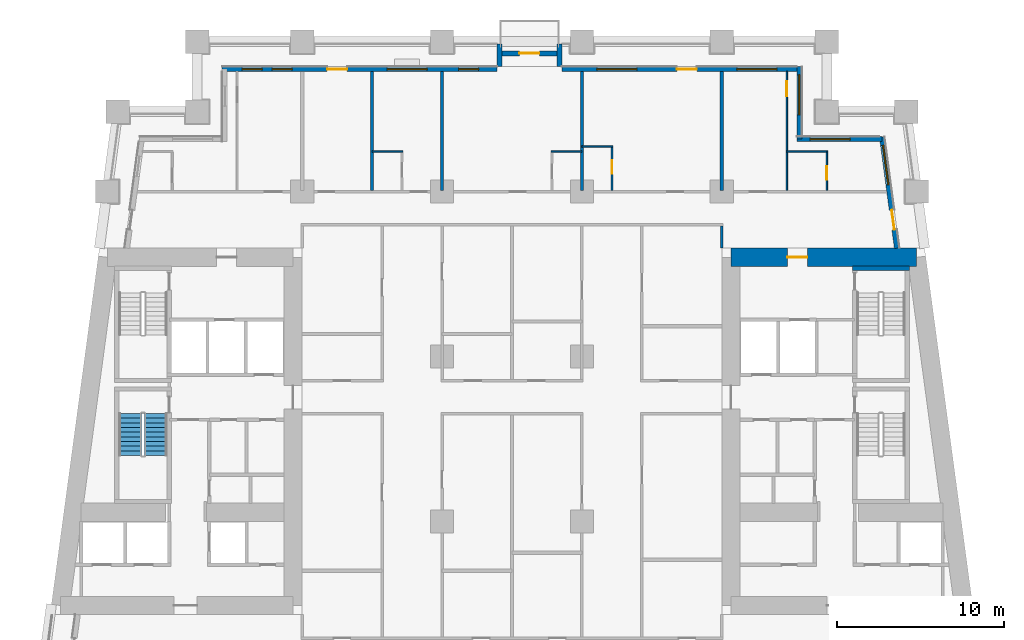
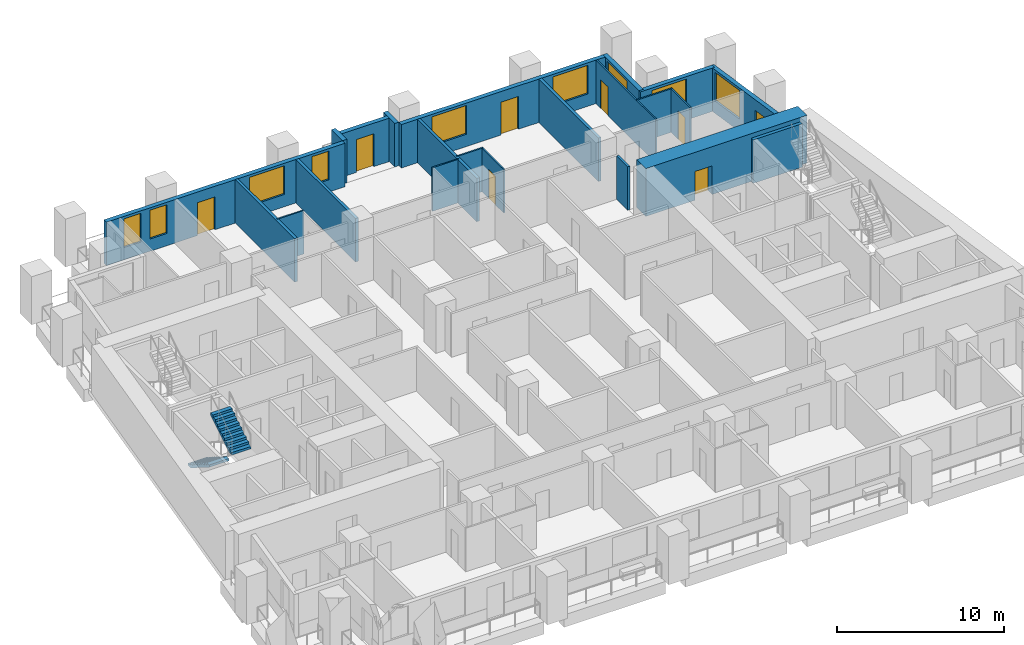
# One storey, part 7 of 13: 22 walls, 9 windows, 8 doors, 2 stair flights, 17 openings, 1 element without a shape of its own.
"""IFC4 building model written with IfcOpenShell, lengths in metres."""

from ifc_helpers import new_model, si_unit, direction, frame, frame_2d, origin, place, context, subcontext, project, spatial, polyline, rectangle, outline, extrude, material, layer, layer_set, type_object, element, fill, aggregate, save


model = new_model("IFC4")

# Units and contexts
model_context = context("Model", 3, precision=1e-05, world=origin(), true_north=direction((0.0, 1.0)))
body_context = subcontext(model_context, "Body", "Model", "MODEL_VIEW")
ifc_project = project(units=[si_unit("LENGTHUNIT", "METRE"), si_unit("AREAUNIT", "SQUARE_METRE"), si_unit("VOLUMEUNIT", "CUBIC_METRE"), si_unit("PLANEANGLEUNIT", "RADIAN"), si_unit("MASSUNIT", "GRAM", prefix="KILO")], contexts=[model_context])

# Site, building, storey
site_placement = place(None, origin())
site = spatial("IfcSite", under=ifc_project, at=site_placement, CompositionType="ELEMENT")
building_placement = place(site_placement, origin())
building = spatial("IfcBuilding", under=site, at=building_placement, Name="Candeia Pilgrim Tower and Theatre", CompositionType="ELEMENT")
storey_placement = place(building_placement, frame((0.0, 0.0, 56.5)))
storey = spatial("IfcBuildingStorey", under=building, at=storey_placement, Name="L11", CompositionType="ELEMENT", Elevation=56.5)

# Wall, opening, door
ifc_material_1 = material(Name="Concrete C80/95", Category="concrete")
ifc_layer_1 = layer(ifc_material_1, 1.10009765625)
ifc_layer_set_1 = layer_set([ifc_layer_1], Name="Core wall 1100 C80/95")
wall_type_1 = type_object("IfcWallType", Name="Core wall 1100 C80/95", PredefinedType="SHEAR", material=ifc_layer_set_1)
wall_1_placement = place(storey_placement, frame((126.550048828125, 131.85009765625, 0.0), z_axis=(0.0, 0.0, 1.0), x_axis=(1.0, 0.0, 0.0)))
wall_1 = element("IfcWall", 1, at=wall_1_placement, inside=storey, type_object=wall_type_1, Name="Core wall E1", PredefinedType="SHEAR", context=body_context, shape_type="SweptSolid", body=[
    extrude(rectangle(XDim=11.13818359375, YDim=1.10009765625, at=frame_2d((5.569091796875, 0.0))), origin(), (0.0, 0.0, 1.0), 3.5),
])
opening_1_placement = place(wall_1_placement, frame((3.386474609375, 0.0, 0.0)))
opening_1 = element("IfcOpeningElement", 2, at=opening_1_placement, cuts=wall_1, Name="Opening L11-D063", PredefinedType="OPENING", context=body_context, shape_type="SweptSolid", body=[
    extrude(rectangle(XDim=1.199951171875, YDim=2.10009765625, at=frame_2d((0.60009765625, 1.050048828125))), frame((0.0, 0.56005859375, 0.0), z_axis=(0.0, -1.0, 0.0), x_axis=(1.0, 0.0, 0.0)), (0.0, 0.0, 1.0), 1.1201171875),
])
ifc_material_2 = material(Name="Steel fire door set", Category="steel")
door_type_1 = type_object("IfcDoorType", Name="D-1200-FD60", OperationType="NOTDEFINED", PredefinedType="DOOR", material=ifc_material_2)
door_1_placement = place(opening_1_placement, origin())
door_1 = element("IfcDoor", 3, at=door_1_placement, inside=storey, type_object=door_type_1, Name="Door L11-D063", OperationType="SINGLE_SWING_RIGHT", OverallHeight=2.10009765625, OverallWidth=1.199951171875, PredefinedType="DOOR", context=body_context, shape_type="SweptSolid", body=[
    extrude(rectangle(XDim=1.199951171875, YDim=2.10009765625, at=frame_2d((0.60009765625, 1.050048828125))), frame((0.0, 0.02490234375, 0.0), z_axis=(0.0, -1.0, 0.0), x_axis=(1.0, 0.0, 0.0)), (0.0, 0.0, 1.0), 0.050048828125),
])
fill(opening_1, door_1)

# Wall, openings, door, window
ifc_material_3 = material(Name="Ceramic block masonry", Category="masonry")
ifc_layer_2 = layer(ifc_material_3, 0.300048828125)
ifc_layer_set_2 = layer_set([ifc_layer_2], Name="EW1 glazing-line wall 300")
wall_type_2 = type_object("IfcWallType", Name="EW1 glazing-line wall 300", PredefinedType="SOLIDWALL", material=ifc_layer_set_2)
wall_2_placement = place(storey_placement, frame((136.50439453125, 132.39990234375, 0.0), z_axis=(0.0, 0.0, 1.0), x_axis=(-0.133399697462, 0.99106231929, 0.0)))
wall_2 = element("IfcWall", 4, at=wall_2_placement, inside=storey, type_object=wall_type_2, Name="External wall L11-3.1", PredefinedType="SOLIDWALL", context=body_context, shape_type="SweptSolid", body=[
    extrude(rectangle(XDim=6.740478515625, YDim=0.300048828125, at=frame_2d((3.3701171875, 0.0))), origin(), (0.0, 0.0, 1.0), 3.179931640625),
])
opening_2_placement = place(wall_2_placement, frame((1.115234375, 0.0, 0.0)))
opening_2 = element("IfcOpeningElement", 5, at=opening_2_placement, cuts=wall_2, Name="Opening L11-ED131", PredefinedType="OPENING", context=body_context, shape_type="SweptSolid", body=[
    extrude(rectangle(XDim=1.199951171875, YDim=2.39990234375, at=frame_2d((0.60009765625, 1.199951171875))), frame((0.0, 0.16015625, 0.0), z_axis=(0.0, -1.0, 0.0), x_axis=(1.0, 0.0, 0.0)), (0.0, 0.0, 1.0), 0.320068359375),
])
opening_3_placement = place(wall_2_placement, frame((3.83544921875, 0.0, 0.89990234375)))
opening_3 = element("IfcOpeningElement", 6, at=opening_3_placement, cuts=wall_2, Name="Opening W-A", PredefinedType="OPENING", context=body_context, shape_type="SweptSolid", body=[
    extrude(rectangle(XDim=2.39990234375, YDim=2.10009765625, at=frame_2d((1.199951171875, 1.050048828125))), frame((0.0, 0.16015625, 0.0), z_axis=(0.0, -1.0, 0.0), x_axis=(1.0, 0.0, 0.0)), (0.0, 0.0, 1.0), 0.320068359375),
])
ifc_material_4 = material(Name="Aluminium framed glazed door", Category="aluminium")
door_type_2 = type_object("IfcDoorType", Name="Loggia door 1200x2400", OperationType="DOUBLE_DOOR_SINGLE_SWING", PredefinedType="DOOR", material=ifc_material_4)
door_2_placement = place(opening_2_placement, origin())
door_2 = element("IfcDoor", 7, at=door_2_placement, inside=storey, type_object=door_type_2, Name="Loggia door L11-ED131", OperationType="DOUBLE_DOOR_SINGLE_SWING", OverallHeight=2.39990234375, OverallWidth=1.199951171875, PredefinedType="DOOR", context=body_context, shape_type="SweptSolid", body=[
    extrude(rectangle(XDim=1.199951171875, YDim=2.39990234375, at=frame_2d((0.60009765625, 1.199951171875))), frame((0.0, 0.02490234375, 0.0), z_axis=(0.0, -1.0, 0.0), x_axis=(1.0, 0.0, 0.0)), (0.0, 0.0, 1.0), 0.050048828125),
])
fill(opening_2, door_2)
ifc_material_5 = material(Name="Aluminium framed double glazing", Category="aluminium")
window_type_1 = type_object("IfcWindowType", Name="W-A window 2400x2100", PartitioningType="DOUBLE_PANEL_VERTICAL", PredefinedType="WINDOW", material=ifc_material_5)
window_1_placement = place(opening_3_placement, origin())
window_1 = element("IfcWindow", 8, at=window_1_placement, inside=storey, type_object=window_type_1, Name="Window W-A L11", OverallHeight=2.10009765625, OverallWidth=2.39990234375, PartitioningType="SINGLE_PANEL", PredefinedType="WINDOW", context=body_context, shape_type="SweptSolid", body=[
    extrude(rectangle(XDim=2.39990234375, YDim=2.10009765625, at=frame_2d((1.199951171875, 1.050048828125))), frame((0.0, 0.030029296875, 0.0), z_axis=(0.0, -1.0, 0.0), x_axis=(1.0, 0.0, 0.0)), (0.0, 0.0, 1.0), 0.06005859375),
])
fill(opening_3, window_1)

# Wall, opening, window
wall_3_placement = place(storey_placement, frame((135.62255859375, 138.949951171875, 0.0), z_axis=(0.0, 0.0, 1.0), x_axis=(-1.0, 0.0, 0.0)))
wall_3 = element("IfcWall", 9, at=wall_3_placement, inside=storey, type_object=wall_type_2, Name="External wall L11-4.0", PredefinedType="SOLIDWALL", context=body_context, shape_type="SweptSolid", body=[
    extrude(rectangle(XDim=5.12255859375, YDim=0.300048828125, at=frame_2d((2.561279296875, 0.0))), origin(), (0.0, 0.0, 1.0), 3.179931640625),
])
opening_4_placement = place(wall_3_placement, frame((1.922607421875, 0.0, 0.89990234375)))
opening_4 = element("IfcOpeningElement", 10, at=opening_4_placement, cuts=wall_3, Name="Opening W-A", PredefinedType="OPENING", context=body_context, shape_type="SweptSolid", body=[
    extrude(rectangle(XDim=2.39990234375, YDim=2.10009765625, at=frame_2d((1.199951171875, 1.050048828125))), frame((0.0, 0.16015625, 0.0), z_axis=(0.0, -1.0, 0.0), x_axis=(1.0, 0.0, 0.0)), (0.0, 0.0, 1.0), 0.320068359375),
])
window_2_placement = place(opening_4_placement, origin())
window_2 = element("IfcWindow", 11, at=window_2_placement, inside=storey, type_object=window_type_1, Name="Window W-A L11", OverallHeight=2.10009765625, OverallWidth=2.39990234375, PartitioningType="SINGLE_PANEL", PredefinedType="WINDOW", context=body_context, shape_type="SweptSolid", body=[
    extrude(rectangle(XDim=2.39990234375, YDim=2.10009765625, at=frame_2d((1.199951171875, 1.050048828125))), frame((0.0, 0.030029296875, 0.0), z_axis=(0.0, -1.0, 0.0), x_axis=(1.0, 0.0, 0.0)), (0.0, 0.0, 1.0), 0.06005859375),
])
fill(opening_4, window_2)

wall_4_placement = place(storey_placement, frame((130.64990234375, 138.949951171875, 0.0), z_axis=(0.0, 0.0, 1.0), x_axis=(0.0, 1.0, 0.0)))
wall_4 = element("IfcWall", 12, at=wall_4_placement, inside=storey, type_object=wall_type_2, Name="External wall L11-5.0", PredefinedType="SOLIDWALL", context=body_context, shape_type="SweptSolid", body=[
    extrude(rectangle(XDim=4.35009765625, YDim=0.300048828125, at=frame_2d((2.175048828125, 0.0))), origin(), (0.0, 0.0, 1.0), 3.179931640625),
])
opening_5_placement = place(wall_4_placement, frame((1.449951171875, 0.0, 0.89990234375)))
opening_5 = element("IfcOpeningElement", 13, at=opening_5_placement, cuts=wall_4, Name="Opening W-A", PredefinedType="OPENING", context=body_context, shape_type="SweptSolid", body=[
    extrude(rectangle(XDim=2.39990234375, YDim=2.10009765625, at=frame_2d((1.199951171875, 1.050048828125))), frame((0.0, 0.16015625, 0.0), z_axis=(0.0, -1.0, 0.0), x_axis=(1.0, 0.0, 0.0)), (0.0, 0.0, 1.0), 0.320068359375),
])
window_3_placement = place(opening_5_placement, origin())
window_3 = element("IfcWindow", 14, at=window_3_placement, inside=storey, type_object=window_type_1, Name="Window W-A L11", OverallHeight=2.10009765625, OverallWidth=2.39990234375, PartitioningType="SINGLE_PANEL", PredefinedType="WINDOW", context=body_context, shape_type="SweptSolid", body=[
    extrude(rectangle(XDim=2.39990234375, YDim=2.10009765625, at=frame_2d((1.199951171875, 1.050048828125))), frame((0.0, 0.030029296875, 0.0), z_axis=(0.0, -1.0, 0.0), x_axis=(1.0, 0.0, 0.0)), (0.0, 0.0, 1.0), 0.06005859375),
])
fill(opening_5, window_3)

# Wall, openings, door, windows
wall_5_placement = place(storey_placement, frame((130.64990234375, 143.14990234375, 0.0), z_axis=(0.0, 0.0, 1.0), x_axis=(-1.0, 0.0, 0.0)))
wall_5 = element("IfcWall", 15, at=wall_5_placement, inside=storey, type_object=wall_type_2, Name="External wall L11-6.0", PredefinedType="SOLIDWALL", context=body_context, shape_type="SweptSolid", body=[
    extrude(rectangle(XDim=14.25, YDim=0.300048828125, at=frame_2d((7.125, 0.0))), origin(), (0.0, 0.0, 1.0), 3.179931640625),
])
opening_6_placement = place(wall_5_placement, frame((1.35009765625, 0.0, 0.89990234375)))
opening_6 = element("IfcOpeningElement", 16, at=opening_6_placement, cuts=wall_5, Name="Opening W-A", PredefinedType="OPENING", context=body_context, shape_type="SweptSolid", body=[
    extrude(rectangle(XDim=2.39990234375, YDim=2.10009765625, at=frame_2d((1.199951171875, 1.050048828125))), frame((0.0, 0.16015625, 0.0), z_axis=(0.0, -1.0, 0.0), x_axis=(1.0, 0.0, 0.0)), (0.0, 0.0, 1.0), 0.320068359375),
])
opening_7_placement = place(wall_5_placement, frame((6.14990234375, 0.0, 0.0)))
opening_7 = element("IfcOpeningElement", 17, at=opening_7_placement, cuts=wall_5, Name="Opening L11-ED132", PredefinedType="OPENING", context=body_context, shape_type="SweptSolid", body=[
    extrude(rectangle(XDim=1.199951171875, YDim=2.39990234375, at=frame_2d((0.60009765625, 1.199951171875))), frame((0.0, 0.16015625, 0.0), z_axis=(0.0, -1.0, 0.0), x_axis=(1.0, 0.0, 0.0)), (0.0, 0.0, 1.0), 0.320068359375),
])
opening_8_placement = place(wall_5_placement, frame((9.75, 0.0, 0.89990234375)))
opening_8 = element("IfcOpeningElement", 18, at=opening_8_placement, cuts=wall_5, Name="Opening W-A", PredefinedType="OPENING", context=body_context, shape_type="SweptSolid", body=[
    extrude(rectangle(XDim=2.39990234375, YDim=2.10009765625, at=frame_2d((1.199951171875, 1.050048828125))), frame((0.0, 0.16015625, 0.0), z_axis=(0.0, -1.0, 0.0), x_axis=(1.0, 0.0, 0.0)), (0.0, 0.0, 1.0), 0.320068359375),
])
door_3_placement = place(opening_7_placement, origin())
door_3 = element("IfcDoor", 19, at=door_3_placement, inside=storey, type_object=door_type_2, Name="Loggia door L11-ED132", OperationType="DOUBLE_DOOR_SINGLE_SWING", OverallHeight=2.39990234375, OverallWidth=1.199951171875, PredefinedType="DOOR", context=body_context, shape_type="SweptSolid", body=[
    extrude(rectangle(XDim=1.199951171875, YDim=2.39990234375, at=frame_2d((0.60009765625, 1.199951171875))), frame((0.0, 0.02490234375, 0.0), z_axis=(0.0, -1.0, 0.0), x_axis=(1.0, 0.0, 0.0)), (0.0, 0.0, 1.0), 0.050048828125),
])
fill(opening_7, door_3)
window_4_placement = place(opening_6_placement, origin())
window_4 = element("IfcWindow", 20, at=window_4_placement, inside=storey, type_object=window_type_1, Name="Window W-A L11", OverallHeight=2.10009765625, OverallWidth=2.39990234375, PartitioningType="SINGLE_PANEL", PredefinedType="WINDOW", context=body_context, shape_type="SweptSolid", body=[
    extrude(rectangle(XDim=2.39990234375, YDim=2.10009765625, at=frame_2d((1.199951171875, 1.050048828125))), frame((0.0, 0.030029296875, 0.0), z_axis=(0.0, -1.0, 0.0), x_axis=(1.0, 0.0, 0.0)), (0.0, 0.0, 1.0), 0.06005859375),
])
fill(opening_6, window_4)
window_5_placement = place(opening_8_placement, origin())
window_5 = element("IfcWindow", 21, at=window_5_placement, inside=storey, type_object=window_type_1, Name="Window W-A L11", OverallHeight=2.10009765625, OverallWidth=2.39990234375, PartitioningType="SINGLE_PANEL", PredefinedType="WINDOW", context=body_context, shape_type="SweptSolid", body=[
    extrude(rectangle(XDim=2.39990234375, YDim=2.10009765625, at=frame_2d((1.199951171875, 1.050048828125))), frame((0.0, 0.030029296875, 0.0), z_axis=(0.0, -1.0, 0.0), x_axis=(1.0, 0.0, 0.0)), (0.0, 0.0, 1.0), 0.06005859375),
])
fill(opening_8, window_5)

wall_6_placement = place(storey_placement, frame((112.5, 143.14990234375, 0.0), z_axis=(0.0, 0.0, 1.0), x_axis=(-1.0, 0.0, 0.0)))
wall_6 = element("IfcWall", 22, at=wall_6_placement, inside=storey, type_object=wall_type_2, Name="External wall L11-6.1", PredefinedType="SOLIDWALL", context=body_context, shape_type="SweptSolid", body=[
    extrude(rectangle(XDim=16.5, YDim=0.300048828125, at=frame_2d((8.25, 0.0))), origin(), (0.0, 0.0, 1.0), 3.179931640625),
])
opening_9_placement = place(wall_6_placement, frame((1.10009765625, 0.0, 0.89990234375)))
opening_9 = element("IfcOpeningElement", 23, at=opening_9_placement, cuts=wall_6, Name="Opening W-B", PredefinedType="OPENING", context=body_context, shape_type="SweptSolid", body=[
    extrude(rectangle(XDim=1.199951171875, YDim=2.10009765625, at=frame_2d((0.60009765625, 1.050048828125))), frame((0.0, 0.16015625, 0.0), z_axis=(0.0, -1.0, 0.0), x_axis=(1.0, 0.0, 0.0)), (0.0, 0.0, 1.0), 0.320068359375),
])
opening_10_placement = place(wall_6_placement, frame((4.199951171875, 0.0, 0.89990234375)))
opening_10 = element("IfcOpeningElement", 24, at=opening_10_placement, cuts=wall_6, Name="Opening W-A", PredefinedType="OPENING", context=body_context, shape_type="SweptSolid", body=[
    extrude(rectangle(XDim=2.39990234375, YDim=2.10009765625, at=frame_2d((1.199951171875, 1.050048828125))), frame((0.0, 0.16015625, 0.0), z_axis=(0.0, -1.0, 0.0), x_axis=(1.0, 0.0, 0.0)), (0.0, 0.0, 1.0), 0.320068359375),
])
opening_11_placement = place(wall_6_placement, frame((9.0, 0.0, 0.0)))
opening_11 = element("IfcOpeningElement", 25, at=opening_11_placement, cuts=wall_6, Name="Opening L11-ED133", PredefinedType="OPENING", context=body_context, shape_type="SweptSolid", body=[
    extrude(rectangle(XDim=1.199951171875, YDim=2.39990234375, at=frame_2d((0.60009765625, 1.199951171875))), frame((0.0, 0.16015625, 0.0), z_axis=(0.0, -1.0, 0.0), x_axis=(1.0, 0.0, 0.0)), (0.0, 0.0, 1.0), 0.320068359375),
])
opening_12_placement = place(wall_6_placement, frame((12.300048828125, 0.0, 0.89990234375)))
opening_12 = element("IfcOpeningElement", 26, at=opening_12_placement, cuts=wall_6, Name="Opening W-B", PredefinedType="OPENING", context=body_context, shape_type="SweptSolid", body=[
    extrude(rectangle(XDim=1.199951171875, YDim=2.10009765625, at=frame_2d((0.60009765625, 1.050048828125))), frame((0.0, 0.16015625, 0.0), z_axis=(0.0, -1.0, 0.0), x_axis=(1.0, 0.0, 0.0)), (0.0, 0.0, 1.0), 0.320068359375),
])
opening_13_placement = place(wall_6_placement, frame((14.10009765625, 0.0, 0.89990234375)))
opening_13 = element("IfcOpeningElement", 27, at=opening_13_placement, cuts=wall_6, Name="Opening W-B", PredefinedType="OPENING", context=body_context, shape_type="SweptSolid", body=[
    extrude(rectangle(XDim=1.199951171875, YDim=2.10009765625, at=frame_2d((0.60009765625, 1.050048828125))), frame((0.0, 0.16015625, 0.0), z_axis=(0.0, -1.0, 0.0), x_axis=(1.0, 0.0, 0.0)), (0.0, 0.0, 1.0), 0.320068359375),
])
door_4_placement = place(opening_11_placement, origin())
door_4 = element("IfcDoor", 28, at=door_4_placement, inside=storey, type_object=door_type_2, Name="Loggia door L11-ED133", OperationType="DOUBLE_DOOR_SINGLE_SWING", OverallHeight=2.39990234375, OverallWidth=1.199951171875, PredefinedType="DOOR", context=body_context, shape_type="SweptSolid", body=[
    extrude(rectangle(XDim=1.199951171875, YDim=2.39990234375, at=frame_2d((0.60009765625, 1.199951171875))), frame((0.0, 0.02490234375, 0.0), z_axis=(0.0, -1.0, 0.0), x_axis=(1.0, 0.0, 0.0)), (0.0, 0.0, 1.0), 0.050048828125),
])
fill(opening_11, door_4)
window_6_placement = place(opening_10_placement, origin())
window_6 = element("IfcWindow", 29, at=window_6_placement, inside=storey, type_object=window_type_1, Name="Window W-A L11", OverallHeight=2.10009765625, OverallWidth=2.39990234375, PartitioningType="SINGLE_PANEL", PredefinedType="WINDOW", context=body_context, shape_type="SweptSolid", body=[
    extrude(rectangle(XDim=2.39990234375, YDim=2.10009765625, at=frame_2d((1.199951171875, 1.050048828125))), frame((0.0, 0.030029296875, 0.0), z_axis=(0.0, -1.0, 0.0), x_axis=(1.0, 0.0, 0.0)), (0.0, 0.0, 1.0), 0.06005859375),
])
fill(opening_10, window_6)
window_type_2 = type_object("IfcWindowType", Name="W-B window 1200x2100", PartitioningType="SINGLE_PANEL", PredefinedType="WINDOW", material=ifc_material_5)
window_7_placement = place(opening_9_placement, origin())
window_7 = element("IfcWindow", 30, at=window_7_placement, inside=storey, type_object=window_type_2, Name="Window W-B L11", OverallHeight=2.10009765625, OverallWidth=1.199951171875, PartitioningType="SINGLE_PANEL", PredefinedType="WINDOW", context=body_context, shape_type="SweptSolid", body=[
    extrude(rectangle(XDim=1.199951171875, YDim=2.10009765625, at=frame_2d((0.60009765625, 1.050048828125))), frame((0.0, 0.030029296875, 0.0), z_axis=(0.0, -1.0, 0.0), x_axis=(1.0, 0.0, 0.0)), (0.0, 0.0, 1.0), 0.06005859375),
])
fill(opening_9, window_7)
window_8_placement = place(opening_12_placement, origin())
window_8 = element("IfcWindow", 31, at=window_8_placement, inside=storey, type_object=window_type_2, Name="Window W-B L11", OverallHeight=2.10009765625, OverallWidth=1.199951171875, PartitioningType="SINGLE_PANEL", PredefinedType="WINDOW", context=body_context, shape_type="SweptSolid", body=[
    extrude(rectangle(XDim=1.199951171875, YDim=2.10009765625, at=frame_2d((0.60009765625, 1.050048828125))), frame((0.0, 0.030029296875, 0.0), z_axis=(0.0, -1.0, 0.0), x_axis=(1.0, 0.0, 0.0)), (0.0, 0.0, 1.0), 0.06005859375),
])
fill(opening_12, window_8)
window_9_placement = place(opening_13_placement, origin())
window_9 = element("IfcWindow", 32, at=window_9_placement, inside=storey, type_object=window_type_2, Name="Window W-B L11", OverallHeight=2.10009765625, OverallWidth=1.199951171875, PartitioningType="SINGLE_PANEL", PredefinedType="WINDOW", context=body_context, shape_type="SweptSolid", body=[
    extrude(rectangle(XDim=1.199951171875, YDim=2.10009765625, at=frame_2d((0.60009765625, 1.050048828125))), frame((0.0, 0.030029296875, 0.0), z_axis=(0.0, -1.0, 0.0), x_axis=(1.0, 0.0, 0.0)), (0.0, 0.0, 1.0), 0.06005859375),
])
fill(opening_13, window_9)

# Walls
ifc_layer_3 = layer(ifc_material_3, 0.300048828125)
ifc_layer_set_3 = layer_set([ifc_layer_3], Name="EW2 entrance infill wall 300")
wall_type_3 = type_object("IfcWallType", Name="EW2 entrance infill wall 300", PredefinedType="SOLIDWALL", material=ifc_layer_set_3)
for number, where, z_axis, x_axis, name in (
    (33, (116.25, 143.300048828125, 0.0), (0.0, 0.0, 1.0), (0.0, 1.0, 0.0), "Alcove wall L11"),
    (34, (112.64990234375, 143.300048828125, 0.0), (0.0, 0.0, 1.0), (0.0, 1.0, 0.0), "Alcove wall L11"),
):
    element("IfcWall", number, at=place(storey_placement, frame(where, z_axis=z_axis, x_axis=x_axis)), inside=storey, type_object=wall_type_3, Name=name, PredefinedType="SOLIDWALL", context=body_context, shape_type="SweptSolid", body=[
        extrude(rectangle(XDim=1.349853515625, YDim=0.300048828125, at=frame_2d((0.6748046875, 0.0))), origin(), (0.0, 0.0, 1.0), 3.179931640625),
    ])

# Wall, opening, door
wall_7_placement = place(storey_placement, frame((116.39990234375, 144.10009765625, 0.0), z_axis=(0.0, 0.0, 1.0), x_axis=(-1.0, 0.0, 0.0)))
wall_7 = element("IfcWall", 35, at=wall_7_placement, inside=storey, type_object=wall_type_3, Name="Alcove wall L11", PredefinedType="SOLIDWALL", context=body_context, shape_type="SweptSolid", body=[
    extrude(rectangle(XDim=3.89990234375, YDim=0.300048828125, at=frame_2d((1.949951171875, 0.0))), origin(), (0.0, 0.0, 1.0), 3.179931640625),
])
opening_14_placement = place(wall_7_placement, frame((1.35009765625, 0.0, 0.0)))
opening_14 = element("IfcOpeningElement", 36, at=opening_14_placement, cuts=wall_7, Name="Opening L11-ED134", PredefinedType="OPENING", context=body_context, shape_type="SweptSolid", body=[
    extrude(rectangle(XDim=1.199951171875, YDim=2.39990234375, at=frame_2d((0.60009765625, 1.199951171875))), frame((0.0, 0.16015625, 0.0), z_axis=(0.0, -1.0, 0.0), x_axis=(1.0, 0.0, 0.0)), (0.0, 0.0, 1.0), 0.320068359375),
])
door_5_placement = place(opening_14_placement, origin())
door_5 = element("IfcDoor", 37, at=door_5_placement, inside=storey, type_object=door_type_2, Name="Balcony door L11-ED134", OperationType="DOUBLE_DOOR_SINGLE_SWING", OverallHeight=2.39990234375, OverallWidth=1.199951171875, PredefinedType="DOOR", context=body_context, shape_type="SweptSolid", body=[
    extrude(rectangle(XDim=1.199951171875, YDim=2.39990234375, at=frame_2d((0.60009765625, 1.199951171875))), frame((0.0, 0.02490234375, 0.0), z_axis=(0.0, -1.0, 0.0), x_axis=(1.0, 0.0, 0.0)), (0.0, 0.0, 1.0), 0.050048828125),
])
fill(opening_14, door_5)

# Walls
ifc_material_6 = material(Name="Gypsum board partition on steel studs", Category="steel")
ifc_layer_4 = layer(ifc_material_6, 0.10009765625)
ifc_layer_set_4 = layer_set([ifc_layer_4], Name="PW-100 room partition")
wall_type_4 = type_object("IfcWallType", Name="PW-100 room partition", PredefinedType="PARTITIONING", material=ifc_layer_set_4)
for number, where, z_axis, x_axis, name in (
    (38, (105.0, 138.199951171875, 0.0), (0.0, 0.0, 1.0), (1.0, 0.0, 0.0), "Room partition L11-050"),
    (39, (115.75, 138.199951171875, 0.0), (0.0, 0.0, 1.0), (1.0, 0.0, 0.0), "Room partition L11-051"),
):
    element("IfcWall", number, at=place(storey_placement, frame(where, z_axis=z_axis, x_axis=x_axis)), inside=storey, type_object=wall_type_4, Name=name, PredefinedType="PARTITIONING", context=body_context, shape_type="SweptSolid", body=[
        extrude(rectangle(XDim=1.85009765625, YDim=0.10009765625, at=frame_2d((0.925048828125, 0.0))), origin(), (0.0, 0.0, 1.0), 3.179931640625),
    ])
wall_8_placement = place(storey_placement, frame((129.89990234375, 138.199951171875, 0.0), z_axis=(0.0, 0.0, 1.0), x_axis=(1.0, 0.0, 0.0)))
element("IfcWall", 40, at=wall_8_placement, inside=storey, type_object=wall_type_4, Name="Room partition L11-052", PredefinedType="PARTITIONING", context=body_context, shape_type="SweptSolid", body=[
    extrude(rectangle(XDim=2.4501953125, YDim=0.10009765625, at=frame_2d((1.22509765625, 0.0))), origin(), (0.0, 0.0, 1.0), 3.179931640625),
])
wall_9_placement = place(storey_placement, frame((117.60009765625, 138.5, 0.0), z_axis=(0.0, 0.0, 1.0), x_axis=(1.0, 0.0, 0.0)))
element("IfcWall", 41, at=wall_9_placement, inside=storey, type_object=wall_type_4, Name="Room partition L11-053", PredefinedType="PARTITIONING", context=body_context, shape_type="SweptSolid", body=[
    extrude(rectangle(XDim=1.849853515625, YDim=0.10009765625, at=frame_2d((0.9248046875, 0.0))), origin(), (0.0, 0.0, 1.0), 3.179931640625),
])

# Wall, opening, door
wall_10_placement = place(storey_placement, frame((119.39990234375, 135.875, 0.0), z_axis=(0.0, 0.0, 1.0), x_axis=(0.0, 1.0, 0.0)))
wall_10 = element("IfcWall", 42, at=wall_10_placement, inside=storey, type_object=wall_type_4, Name="Room partition L11-098", PredefinedType="PARTITIONING", context=body_context, shape_type="SweptSolid", body=[
    extrude(rectangle(XDim=2.574951171875, YDim=0.10009765625, at=frame_2d((1.28759765625, 0.0))), origin(), (0.0, 0.0, 1.0), 3.179931640625),
])
opening_15_placement = place(wall_10_placement, frame((0.9951171875, 0.0, 0.0)))
opening_15 = element("IfcOpeningElement", 43, at=opening_15_placement, cuts=wall_10, Name="Opening L11-D039", PredefinedType="OPENING", context=body_context, shape_type="SweptSolid", body=[
    extrude(rectangle(XDim=0.800048828125, YDim=2.10009765625, at=frame_2d((0.39990234375, 1.050048828125))), frame((0.0, 0.06005859375, 0.0), z_axis=(0.0, -1.0, 0.0), x_axis=(1.0, 0.0, 0.0)), (0.0, 0.0, 1.0), 0.1201171875),
])
ifc_material_7 = material(Name="Timber door leaf", Category="wood")
door_type_3 = type_object("IfcDoorType", Name="D-800", OperationType="NOTDEFINED", PredefinedType="DOOR", material=ifc_material_7)
door_6_placement = place(opening_15_placement, origin())
door_6 = element("IfcDoor", 44, at=door_6_placement, inside=storey, type_object=door_type_3, Name="Door L11-D039", OperationType="SINGLE_SWING_RIGHT", OverallHeight=2.10009765625, OverallWidth=0.800048828125, PredefinedType="DOOR", context=body_context, shape_type="SweptSolid", body=[
    extrude(rectangle(XDim=0.800048828125, YDim=2.10009765625, at=frame_2d((0.39990234375, 1.050048828125))), frame((0.0, 0.02490234375, 0.0), z_axis=(0.0, -1.0, 0.0), x_axis=(1.0, 0.0, 0.0)), (0.0, 0.0, 1.0), 0.050048828125),
])
fill(opening_15, door_6)

wall_11_placement = place(storey_placement, frame((129.89990234375, 135.875, 0.0), z_axis=(0.0, 0.0, 1.0), x_axis=(0.0, 1.0, 0.0)))
wall_11 = element("IfcWall", 45, at=wall_11_placement, inside=storey, type_object=wall_type_4, Name="Room partition L11-109", PredefinedType="PARTITIONING", context=body_context, shape_type="SweptSolid", body=[
    extrude(rectangle(XDim=7.135009765625, YDim=0.10009765625, at=frame_2d((3.5673828125, 0.0))), origin(), (0.0, 0.0, 1.0), 3.179931640625),
])
opening_16_placement = place(wall_11_placement, frame((5.64990234375, 0.0, 0.0)))
opening_16 = element("IfcOpeningElement", 46, at=opening_16_placement, cuts=wall_11, Name="Opening L11-D041", PredefinedType="OPENING", context=body_context, shape_type="SweptSolid", body=[
    extrude(rectangle(XDim=0.89990234375, YDim=2.10009765625, at=frame_2d((0.449951171875, 1.050048828125))), frame((0.0, 0.06005859375, 0.0), z_axis=(0.0, -1.0, 0.0), x_axis=(1.0, 0.0, 0.0)), (0.0, 0.0, 1.0), 0.1201171875),
])
door_type_4 = type_object("IfcDoorType", Name="D-900", OperationType="NOTDEFINED", PredefinedType="DOOR", material=ifc_material_7)
door_7_placement = place(opening_16_placement, origin())
door_7 = element("IfcDoor", 47, at=door_7_placement, inside=storey, type_object=door_type_4, Name="Door L11-D041", OperationType="SINGLE_SWING_RIGHT", OverallHeight=2.10009765625, OverallWidth=0.89990234375, PredefinedType="DOOR", context=body_context, shape_type="SweptSolid", body=[
    extrude(rectangle(XDim=0.89990234375, YDim=2.10009765625, at=frame_2d((0.449951171875, 1.050048828125))), frame((0.0, 0.02490234375, 0.0), z_axis=(0.0, -1.0, 0.0), x_axis=(1.0, 0.0, 0.0)), (0.0, 0.0, 1.0), 0.050048828125),
])
fill(opening_16, door_7)

wall_12_placement = place(storey_placement, frame((132.300048828125, 135.875, 0.0), z_axis=(0.0, 0.0, 1.0), x_axis=(0.0, 1.0, 0.0)))
wall_12 = element("IfcWall", 48, at=wall_12_placement, inside=storey, type_object=wall_type_4, Name="Room partition L11-114", PredefinedType="PARTITIONING", context=body_context, shape_type="SweptSolid", body=[
    extrude(rectangle(XDim=2.27490234375, YDim=0.10009765625, at=frame_2d((1.137451171875, 0.0))), origin(), (0.0, 0.0, 1.0), 3.179931640625),
])
opening_17_placement = place(wall_12_placement, frame((0.635009765625, 0.0, 0.0)))
opening_17 = element("IfcOpeningElement", 49, at=opening_17_placement, cuts=wall_12, Name="Opening L11-D042", PredefinedType="OPENING", context=body_context, shape_type="SweptSolid", body=[
    extrude(rectangle(XDim=0.800048828125, YDim=2.10009765625, at=frame_2d((0.39990234375, 1.050048828125))), frame((0.0, 0.06005859375, 0.0), z_axis=(0.0, -1.0, 0.0), x_axis=(1.0, 0.0, 0.0)), (0.0, 0.0, 1.0), 0.1201171875),
])
door_8_placement = place(opening_17_placement, origin())
door_8 = element("IfcDoor", 50, at=door_8_placement, inside=storey, type_object=door_type_3, Name="Door L11-D042", OperationType="SINGLE_SWING_LEFT", OverallHeight=2.10009765625, OverallWidth=0.800048828125, PredefinedType="DOOR", context=body_context, shape_type="SweptSolid", body=[
    extrude(rectangle(XDim=0.800048828125, YDim=2.10009765625, at=frame_2d((0.39990234375, 1.050048828125))), frame((0.0, 0.02490234375, 0.0), z_axis=(0.0, -1.0, 0.0), x_axis=(1.0, 0.0, 0.0)), (0.0, 0.0, 1.0), 0.050048828125),
])
fill(opening_17, door_8)

# Walls
ifc_layer_5 = layer(ifc_material_6, 0.14990234375)
ifc_layer_set_5 = layer_set([ifc_layer_5], Name="PW-150 unit wall")
wall_type_5 = type_object("IfcWallType", Name="PW-150 unit wall", PredefinedType="PARTITIONING", material=ifc_layer_set_5)
wall_13_placement = place(storey_placement, frame((126.0, 132.39990234375, 0.0), z_axis=(0.0, 0.0, 1.0), x_axis=(0.0, 1.0, 0.0)))
element("IfcWall", 51, at=wall_13_placement, inside=storey, type_object=wall_type_5, Name="Unit wall L11-105", PredefinedType="PARTITIONING", context=body_context, shape_type="SweptSolid", body=[
    extrude(rectangle(XDim=1.3251953125, YDim=0.14990234375, at=frame_2d((0.66259765625, 0.0))), origin(), (0.0, 0.0, 1.0), 3.179931640625),
])
ifc_layer_6 = layer(ifc_material_6, 0.199951171875)
ifc_layer_set_6 = layer_set([ifc_layer_6], Name="PW-200 party wall")
wall_type_6 = type_object("IfcWallType", Name="PW-200 party wall", PredefinedType="PARTITIONING", material=ifc_layer_set_6)
for number, where, z_axis, x_axis, name in (
    (52, (105.0, 135.875, 0.0), (0.0, 0.0, 1.0), (0.0, 1.0, 0.0), "Party wall L11-082"),
    (53, (109.199951171875, 135.875, 0.0), (0.0, 0.0, 1.0), (0.0, 1.0, 0.0), "Party wall L11-087"),
    (54, (117.60009765625, 135.875, 0.0), (0.0, 0.0, 1.0), (0.0, 1.0, 0.0), "Party wall L11-095"),
    (55, (126.0, 135.875, 0.0), (0.0, 0.0, 1.0), (0.0, 1.0, 0.0), "Party wall L11-103"),
):
    element("IfcWall", number, at=place(storey_placement, frame(where, z_axis=z_axis, x_axis=x_axis)), inside=storey, type_object=wall_type_6, Name=name, PredefinedType="PARTITIONING", context=body_context, shape_type="SweptSolid", body=[
        extrude(rectangle(XDim=7.135009765625, YDim=0.199951171875, at=frame_2d((3.5673828125, 0.0))), origin(), (0.0, 0.0, 1.0), 3.179931640625),
    ])
ifc_material_8 = material(Name="Concrete C40/50", Category="concrete")
ifc_layer_7 = layer(ifc_material_8, 0.25)
ifc_layer_set_7 = layer_set([ifc_layer_7], Name="SW-250 stair wall")
wall_type_7 = type_object("IfcWallType", Name="SW-250 stair wall", PredefinedType="PARTITIONING", material=ifc_layer_set_7)
wall_14_placement = place(storey_placement, frame((133.847900390625, 131.199951171875, 0.0), z_axis=(0.0, 0.0, 1.0), x_axis=(1.0, 0.0, 0.0)))
element("IfcWall", 56, at=wall_14_placement, inside=storey, type_object=wall_type_7, Name="Stair wall L11-046", PredefinedType="PARTITIONING", context=body_context, shape_type="SweptSolid", body=[
    extrude(rectangle(XDim=3.400146484375, YDim=0.25, at=frame_2d((1.7001953125, 0.0))), origin(), (0.0, 0.0, 1.0), 3.179931640625),
])

# Stair, stair flights
stair_type = type_object("IfcStairType", Name="ST-TWR dog-leg escape stair", PredefinedType="HALF_TURN_STAIR", material=ifc_material_8)
stair_placement = place(storey_placement, origin())
stair = element("IfcStair", 57, at=stair_placement, inside=storey, type_object=stair_type, Name="L11 Escape stair ST1", PredefinedType="HALF_TURN_STAIR")
stair_flight_type = type_object("IfcStairFlightType", Name="SFL-RC stair flight", PredefinedType="STRAIGHT", material=ifc_material_8)
stair_flight_1_placement = place(storey_placement, frame((90.47705078125, 122.47509765625, 0.0), z_axis=(0.0, 0.0, 1.0), x_axis=(0.0, -1.0, 0.0)))
stair_flight_1 = element("IfcStairFlight", 58, at=stair_flight_1_placement, type_object=stair_flight_type, Name="ST1 flight 1", NumberOfRisers=10, NumberOfTreads=9, PredefinedType="STRAIGHT", RiserHeight=0.175, TreadLength=0.28, context=body_context, shape_type="SweptSolid", body=[
    extrude(outline(polyline([(0.0, 0.0), (0.0, 0.175048828125), (0.280029296875, 0.175048828125), (0.280029296875, 0.35009765625), (0.56005859375, 0.35009765625), (0.56005859375, 0.52490234375), (0.840087890625, 0.52490234375), (0.840087890625, 0.699951171875), (1.1201171875, 0.699951171875), (1.1201171875, 0.875), (1.39990234375, 0.875), (1.39990234375, 1.050048828125), (1.679931640625, 1.050048828125), (1.679931640625, 1.22509765625), (1.9599609375, 1.22509765625), (1.9599609375, 1.39990234375), (2.239990234375, 1.39990234375), (2.239990234375, 1.574951171875), (2.52001953125, 1.574951171875), (2.52001953125, 1.75), (2.52001953125, 1.398193359375), (0.28271484375, 0.0), (0.0, 0.0)])), frame((0.0, 0.675048828125, 0.0), z_axis=(0.0, -1.0, 0.0), x_axis=(1.0, 0.0, 0.0)), (0.0, 0.0, 1.0), 1.35009765625),
])
stair_flight_2_placement = place(storey_placement, frame((92.027099609375, 119.955078125, 1.75), z_axis=(0.0, 0.0, 1.0), x_axis=(0.0, 1.0, 0.0)))
stair_flight_2 = element("IfcStairFlight", 59, at=stair_flight_2_placement, type_object=stair_flight_type, Name="ST1 flight 2", NumberOfRisers=10, NumberOfTreads=9, PredefinedType="STRAIGHT", RiserHeight=0.175, TreadLength=0.28, context=body_context, shape_type="SweptSolid", body=[
    extrude(outline(polyline([(0.0, 0.0), (0.0, 0.175048828125), (0.280029296875, 0.175048828125), (0.280029296875, 0.35009765625), (0.56005859375, 0.35009765625), (0.56005859375, 0.52490234375), (0.840087890625, 0.52490234375), (0.840087890625, 0.699951171875), (1.1201171875, 0.699951171875), (1.1201171875, 0.875), (1.39990234375, 0.875), (1.39990234375, 1.050048828125), (1.679931640625, 1.050048828125), (1.679931640625, 1.22509765625), (1.9599609375, 1.22509765625), (1.9599609375, 1.39990234375), (2.239990234375, 1.39990234375), (2.239990234375, 1.574951171875), (2.52001953125, 1.574951171875), (2.52001953125, 1.75), (2.52001953125, 1.398193359375), (0.28271484375, 0.0), (0.0, 0.0)])), frame((0.0, 0.675048828125, 0.0), z_axis=(0.0, -1.0, 0.0), x_axis=(1.0, 0.0, 0.0)), (0.0, 0.0, 1.0), 1.35009765625),
])
aggregate(stair, [stair_flight_1, stair_flight_2])

save(model, "model.ifc")
